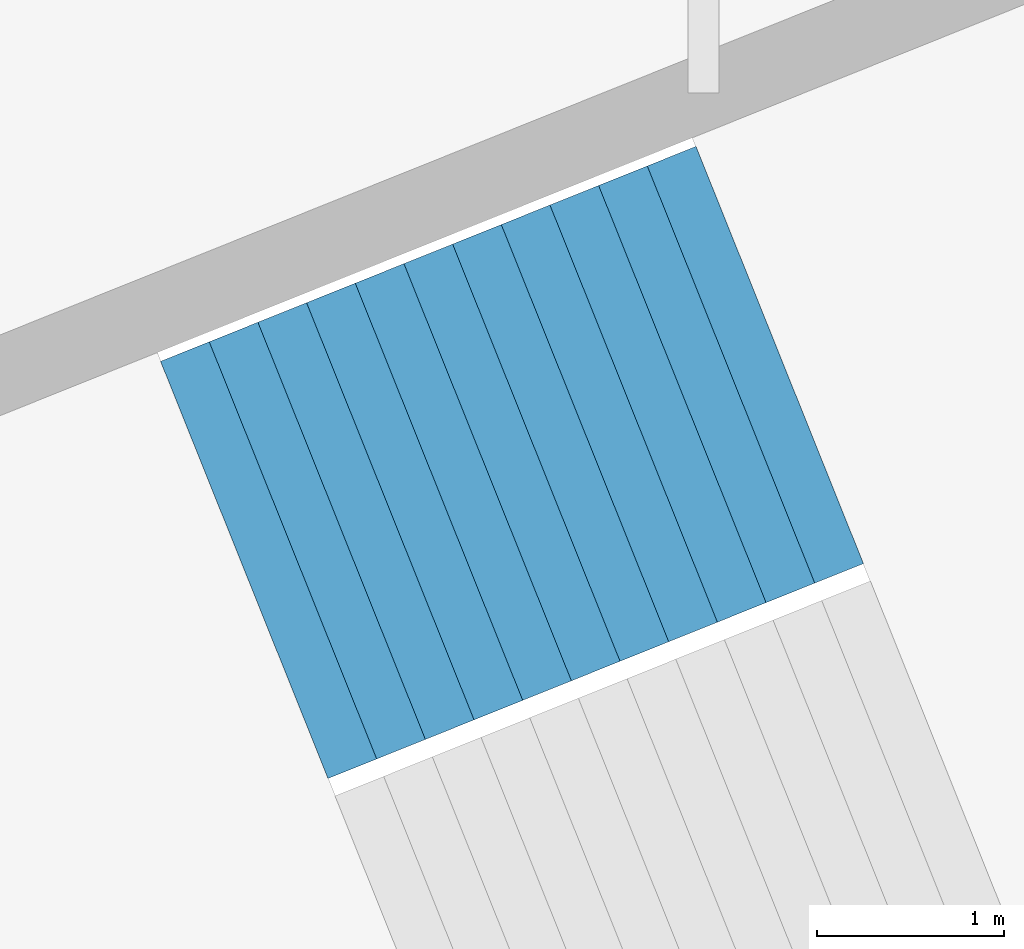
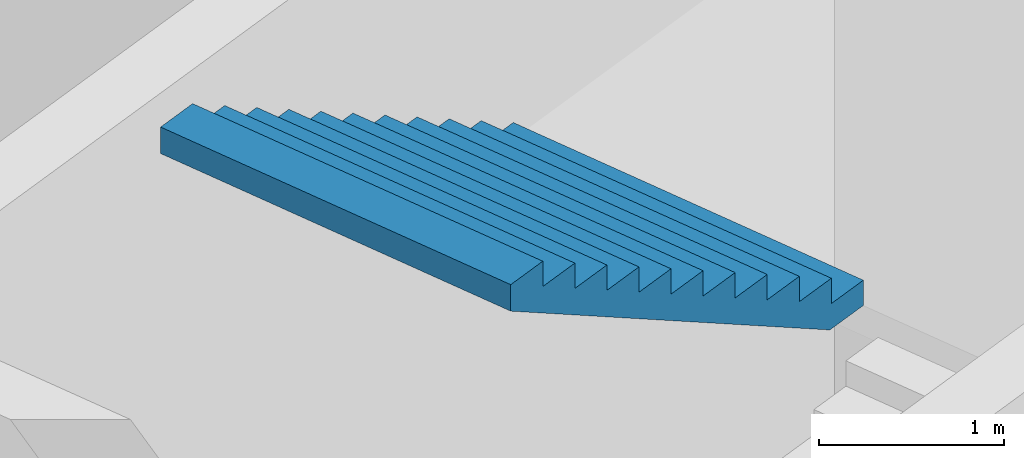
# One storey, part 69 of 74: 1 stair flight, 1 element without a shape of its own.
"""IFC4 building model written with IfcOpenShell, lengths in metres."""

from ifc_helpers import new_model, si_unit, direction, frame, origin, place, context, subcontext, project, spatial, triangles, material, type_object, element, aggregate, save


model = new_model("IFC4")

# Units and contexts
model_context = context("Model", 3, precision=1e-05, world=origin(), true_north=direction((0.0, 1.0)))
body_context = subcontext(model_context, "Body", "Model", "MODEL_VIEW")
ifc_project = project(units=[si_unit("LENGTHUNIT", "METRE"), si_unit("AREAUNIT", "SQUARE_METRE"), si_unit("VOLUMEUNIT", "CUBIC_METRE"), si_unit("PLANEANGLEUNIT", "RADIAN"), si_unit("MASSUNIT", "GRAM", prefix="KILO")], contexts=[model_context])

# Site, building, storey
site_placement = place(None, origin())
site = spatial("IfcSite", under=ifc_project, at=site_placement, CompositionType="ELEMENT")
building_placement = place(site_placement, origin())
building = spatial("IfcBuilding", under=site, at=building_placement, Name="Lantaw Convention Tower", CompositionType="ELEMENT")
storey_placement = place(building_placement, frame((0.0, 0.0, 6.5)))
storey = spatial("IfcBuildingStorey", under=building, at=storey_placement, Name="L01", CompositionType="ELEMENT", Elevation=6.5)

# Stair, stair flight
ifc_material = material(Name="Concrete C35/45", Category="concrete")
stair_type = type_object("IfcStairType", Name="Exit stair 2400 riser 166.67 in 4 flights", PredefinedType="HALF_TURN_STAIR", material=ifc_material)
stair_placement = place(storey_placement, origin())
stair = element("IfcStair", 1, at=stair_placement, inside=storey, type_object=stair_type, Name="Podium exit stair P2 L01", PredefinedType="HALF_TURN_STAIR")
stair_flight_type = type_object("IfcStairFlightType", Name="Stair flight 2400 riser 166.67", PredefinedType="STRAIGHT", material=ifc_material)
stair_flight_placement = place(storey_placement, frame((38.65771484375, 16.86572265625, 6.0), z_axis=(0.0, 0.0, 1.0), x_axis=(-0.928015168305, -0.372542410198, 0.0)))
stair_flight = element("IfcStairFlight", 2, at=stair_flight_placement, type_object=stair_flight_type, Name="P2 flight 4", NumberOfRisers=12, NumberOfTreads=11, PredefinedType="STRAIGHT", RiserHeight=0.166666667, TreadLength=0.28, context=body_context, shape_type="Tessellation", body=[
    triangles([(0.0, 1.199951171875, 0.0), (0.0, 1.199951171875, 0.166666667), (0.28, 1.199951171875, 0.0), (0.28, 1.199951171875, 0.166666667), (0.28, 1.199951171875, 0.333333334), (0.29307345806906726, 1.199951171875, 0.0), (0.29307345806906726, 1.199951171875, 0.333333334), (0.56, 1.199951171875, 0.15888484670522965), (0.56, 1.199951171875, 0.333333334), (0.56, 1.199951171875, 0.500000001), (0.8400000000000001, 1.199951171875, 0.3255515137052296), (0.8400000000000001, 1.199951171875, 0.500000001), (0.8400000000000001, 1.199951171875, 0.666666668), (1.12, 1.199951171875, 0.4922181807052296), (1.12, 1.199951171875, 0.666666668), (1.12, 1.199951171875, 0.833333335), (1.4000000000000001, 1.199951171875, 0.6588848477052296), (1.4000000000000001, 1.199951171875, 0.833333335), (1.4000000000000001, 1.199951171875, 1.000000002), (1.6800000000000002, 1.199951171875, 0.8255515147052296), (1.6800000000000002, 1.199951171875, 1.000000002), (1.6800000000000002, 1.199951171875, 1.166666669), (1.9600000000000002, 1.199951171875, 0.9922181817052296), (1.9600000000000002, 1.199951171875, 1.166666669), (1.9600000000000002, 1.199951171875, 1.333333336), (2.24, 1.199951171875, 1.1588848487052295), (2.24, 1.199951171875, 1.333333336), (2.24, 1.199951171875, 1.5000000029999998), (2.5200000000000005, 1.199951171875, 1.3255515157052296), (2.5200000000000005, 1.199951171875, 1.5000000029999998), (2.5200000000000005, 1.199951171875, 1.66666667), (2.8000000000000003, 1.199951171875, 1.4922181827052294), (2.8000000000000003, 1.199951171875, 1.66666667), (2.8000000000000003, 1.199951171875, 1.833333337), (3.08, 1.199951171875, 1.6588848497052293), (3.08, 1.199951171875, 1.833333337), (0.0, -1.199951171875, 0.0), (0.0, -1.199951171875, 0.166666667), (0.28, -1.199951171875, 0.0), (0.28, -1.199951171875, 0.166666667), (0.28, -1.199951171875, 0.333333334), (0.29307345806906726, -1.199951171875, 0.0), (0.29307345806906726, -1.199951171875, 0.333333334), (0.56, -1.199951171875, 0.15888484670522965), (0.56, -1.199951171875, 0.333333334), (0.56, -1.199951171875, 0.500000001), (0.8400000000000001, -1.199951171875, 0.3255515137052296), (0.8400000000000001, -1.199951171875, 0.500000001), (0.8400000000000001, -1.199951171875, 0.666666668), (1.12, -1.199951171875, 0.4922181807052296), (1.12, -1.199951171875, 0.666666668), (1.12, -1.199951171875, 0.833333335), (1.4000000000000001, -1.199951171875, 0.6588848477052296), (1.4000000000000001, -1.199951171875, 0.833333335), (1.4000000000000001, -1.199951171875, 1.000000002), (1.6800000000000002, -1.199951171875, 0.8255515147052296), (1.6800000000000002, -1.199951171875, 1.000000002), (1.6800000000000002, -1.199951171875, 1.166666669), (1.9600000000000002, -1.199951171875, 0.9922181817052296), (1.9600000000000002, -1.199951171875, 1.166666669), (1.9600000000000002, -1.199951171875, 1.333333336), (2.24, -1.199951171875, 1.1588848487052295), (2.24, -1.199951171875, 1.333333336), (2.24, -1.199951171875, 1.5000000029999998), (2.5200000000000005, -1.199951171875, 1.3255515157052296), (2.5200000000000005, -1.199951171875, 1.5000000029999998), (2.5200000000000005, -1.199951171875, 1.66666667), (2.8000000000000003, -1.199951171875, 1.4922181827052294), (2.8000000000000003, -1.199951171875, 1.66666667), (2.8000000000000003, -1.199951171875, 1.833333337), (3.08, -1.199951171875, 1.6588848497052293), (3.08, -1.199951171875, 1.833333337), (0.0, 0.239990234375, 0.166666667), (0.0, 0.239990234375, 0.0), (0.0, 0.1199951171875, 0.166666667), (0.0, 0.1199951171875, 0.0), (0.0, 0.0, 0.166666667), (0.0, 0.0, 0.0), (0.0, -0.1199951171875, 0.166666667), (0.0, -0.1199951171875, 0.0), (0.0, -0.239990234375, 0.166666667), (0.0, -0.239990234375, 0.0), (0.28, 0.239990234375, 0.333333334), (0.28, 0.239990234375, 0.166666667), (0.28, 0.1199951171875, 0.333333334), (0.28, 0.1199951171875, 0.166666667), (0.28, 0.0, 0.333333334), (0.28, 0.0, 0.166666667), (0.28, -0.1199951171875, 0.333333334), (0.28, -0.1199951171875, 0.166666667), (0.28, -0.239990234375, 0.333333334), (0.28, -0.239990234375, 0.166666667), (0.56, 0.239990234375, 0.500000001), (0.56, 0.239990234375, 0.333333334), (0.56, 0.1199951171875, 0.500000001), (0.56, 0.1199951171875, 0.333333334), (0.56, 0.0, 0.500000001), (0.56, 0.0, 0.333333334), (0.56, -0.1199951171875, 0.500000001), (0.56, -0.1199951171875, 0.333333334), (0.56, -0.239990234375, 0.500000001), (0.56, -0.239990234375, 0.333333334), (0.8400000000000001, 0.239990234375, 0.666666668), (0.8400000000000001, 0.239990234375, 0.500000001), (0.8400000000000001, 0.1199951171875, 0.666666668), (0.8400000000000001, 0.1199951171875, 0.500000001), (0.8400000000000001, 0.0, 0.666666668), (0.8400000000000001, 0.0, 0.500000001), (0.8400000000000001, -0.1199951171875, 0.666666668), (0.8400000000000001, -0.1199951171875, 0.500000001), (0.8400000000000001, -0.239990234375, 0.666666668), (0.8400000000000001, -0.239990234375, 0.500000001), (1.12, 0.239990234375, 0.833333335), (1.12, 0.239990234375, 0.666666668), (1.12, 0.1199951171875, 0.833333335), (1.12, 0.1199951171875, 0.666666668), (1.12, 0.0, 0.833333335), (1.12, 0.0, 0.666666668), (1.12, -0.1199951171875, 0.833333335), (1.12, -0.1199951171875, 0.666666668), (1.12, -0.239990234375, 0.833333335), (1.12, -0.239990234375, 0.666666668), (1.4000000000000001, 0.239990234375, 1.000000002), (1.4000000000000001, 0.239990234375, 0.833333335), (1.4000000000000001, 0.1199951171875, 1.000000002), (1.4000000000000001, 0.1199951171875, 0.833333335), (1.4000000000000001, 0.0, 1.000000002), (1.4000000000000001, 0.0, 0.833333335), (1.4000000000000001, -0.1199951171875, 1.000000002), (1.4000000000000001, -0.1199951171875, 0.833333335), (1.4000000000000001, -0.239990234375, 1.000000002), (1.4000000000000001, -0.239990234375, 0.833333335), (1.6800000000000002, 0.239990234375, 1.166666669), (1.6800000000000002, 0.239990234375, 1.000000002), (1.6800000000000002, 0.1199951171875, 1.166666669), (1.6800000000000002, 0.1199951171875, 1.000000002), (1.6800000000000002, 0.0, 1.166666669), (1.6800000000000002, 0.0, 1.000000002), (1.6800000000000002, -0.1199951171875, 1.166666669), (1.6800000000000002, -0.1199951171875, 1.000000002), (1.6800000000000002, -0.239990234375, 1.166666669), (1.6800000000000002, -0.239990234375, 1.000000002), (1.9600000000000002, 0.239990234375, 1.333333336), (1.9600000000000002, 0.239990234375, 1.166666669), (1.9600000000000002, 0.1199951171875, 1.333333336), (1.9600000000000002, 0.1199951171875, 1.166666669), (1.9600000000000002, 0.0, 1.333333336), (1.9600000000000002, 0.0, 1.166666669), (1.9600000000000002, -0.1199951171875, 1.333333336), (1.9600000000000002, -0.1199951171875, 1.166666669), (1.9600000000000002, -0.239990234375, 1.333333336), (1.9600000000000002, -0.239990234375, 1.166666669), (2.24, 0.239990234375, 1.5000000029999998), (2.24, 0.239990234375, 1.333333336), (2.24, 0.1199951171875, 1.5000000029999998), (2.24, 0.1199951171875, 1.333333336), (2.24, 0.0, 1.5000000029999998), (2.24, 0.0, 1.333333336), (2.24, -0.1199951171875, 1.5000000029999998), (2.24, -0.1199951171875, 1.333333336), (2.24, -0.239990234375, 1.5000000029999998), (2.24, -0.239990234375, 1.333333336), (2.5200000000000005, 0.239990234375, 1.66666667), (2.5200000000000005, 0.239990234375, 1.5000000029999998), (2.5200000000000005, 0.1199951171875, 1.66666667), (2.5200000000000005, 0.1199951171875, 1.5000000029999998), (2.5200000000000005, 0.0, 1.66666667), (2.5200000000000005, 0.0, 1.5000000029999998), (2.5200000000000005, -0.1199951171875, 1.66666667), (2.5200000000000005, -0.1199951171875, 1.5000000029999998), (2.5200000000000005, -0.239990234375, 1.66666667), (2.5200000000000005, -0.239990234375, 1.5000000029999998), (2.8000000000000003, 0.239990234375, 1.833333337), (2.8000000000000003, 0.239990234375, 1.66666667), (2.8000000000000003, 0.1199951171875, 1.833333337), (2.8000000000000003, 0.1199951171875, 1.66666667), (2.8000000000000003, 0.0, 1.833333337), (2.8000000000000003, 0.0, 1.66666667), (2.8000000000000003, -0.1199951171875, 1.833333337), (2.8000000000000003, -0.1199951171875, 1.66666667), (2.8000000000000003, -0.239990234375, 1.833333337), (2.8000000000000003, -0.239990234375, 1.66666667), (0.29307345806906726, 0.239990234375, 0.333333334), (0.29307345806906726, 0.1199951171875, 0.333333334), (0.29307345806906726, 0.0, 0.333333334), (0.29307345806906726, -0.1199951171875, 0.333333334), (0.29307345806906726, -0.239990234375, 0.333333334), (3.08, 0.239990234375, 1.833333337), (3.08, 0.1199951171875, 1.833333337), (3.08, 0.0, 1.833333337), (3.08, -0.1199951171875, 1.833333337), (3.08, -0.239990234375, 1.833333337), (3.08, 0.239990234375, 1.6588848497052293), (3.08, 0.1199951171875, 1.6588848497052293), (3.08, 0.0, 1.6588848497052293), (3.08, -0.1199951171875, 1.6588848497052293), (3.08, -0.239990234375, 1.6588848497052293), (2.8000000000000003, 0.239990234375, 1.4922181827052294), (2.8000000000000003, 0.1199951171875, 1.4922181827052294), (2.8000000000000003, 0.0, 1.4922181827052294), (2.8000000000000003, -0.1199951171875, 1.4922181827052294), (2.8000000000000003, -0.239990234375, 1.4922181827052294), (2.5200000000000005, 0.239990234375, 1.3255515157052296), (2.5200000000000005, 0.1199951171875, 1.3255515157052296), (2.5200000000000005, 0.0, 1.3255515157052296), (2.5200000000000005, -0.1199951171875, 1.3255515157052296), (2.5200000000000005, -0.239990234375, 1.3255515157052296), (2.24, 0.239990234375, 1.1588848487052295), (2.24, 0.1199951171875, 1.1588848487052295), (2.24, 0.0, 1.1588848487052295), (2.24, -0.1199951171875, 1.1588848487052295), (2.24, -0.239990234375, 1.1588848487052295), (1.9600000000000002, 0.239990234375, 0.9922181817052296), (1.9600000000000002, 0.1199951171875, 0.9922181817052296), (1.9600000000000002, 0.0, 0.9922181817052296), (1.9600000000000002, -0.1199951171875, 0.9922181817052296), (1.9600000000000002, -0.239990234375, 0.9922181817052296), (1.6800000000000002, 0.239990234375, 0.8255515147052296), (1.6800000000000002, 0.1199951171875, 0.8255515147052296), (1.6800000000000002, 0.0, 0.8255515147052296), (1.6800000000000002, -0.1199951171875, 0.8255515147052296), (1.6800000000000002, -0.239990234375, 0.8255515147052296), (1.4000000000000001, 0.239990234375, 0.6588848477052296), (1.4000000000000001, 0.1199951171875, 0.6588848477052296), (1.4000000000000001, 0.0, 0.6588848477052296), (1.4000000000000001, -0.1199951171875, 0.6588848477052296), (1.4000000000000001, -0.239990234375, 0.6588848477052296), (1.12, 0.239990234375, 0.4922181807052296), (1.12, 0.1199951171875, 0.4922181807052296), (1.12, 0.0, 0.4922181807052296), (1.12, -0.1199951171875, 0.4922181807052296), (1.12, -0.239990234375, 0.4922181807052296), (0.8400000000000001, 0.239990234375, 0.3255515137052296), (0.8400000000000001, 0.1199951171875, 0.3255515137052296), (0.8400000000000001, 0.0, 0.3255515137052296), (0.8400000000000001, -0.1199951171875, 0.3255515137052296), (0.8400000000000001, -0.239990234375, 0.3255515137052296), (0.56, 0.239990234375, 0.15888484670522965), (0.56, 0.1199951171875, 0.15888484670522965), (0.56, 0.0, 0.15888484670522965), (0.56, -0.1199951171875, 0.15888484670522965), (0.56, -0.239990234375, 0.15888484670522965), (0.29307345806906726, 0.239990234375, 0.0), (0.29307345806906726, 0.1199951171875, 0.0), (0.29307345806906726, 0.0, 0.0), (0.29307345806906726, -0.1199951171875, 0.0), (0.29307345806906726, -0.239990234375, 0.0), (0.28, 0.239990234375, 0.0), (0.28, 0.1199951171875, 0.0), (0.28, 0.0, 0.0), (0.28, -0.1199951171875, 0.0), (0.28, -0.239990234375, 0.0)], [[1, 4, 3], [1, 2, 4], [3, 4, 6], [4, 7, 6], [4, 5, 7], [6, 9, 8], [6, 7, 9], [8, 9, 11], [9, 12, 11], [9, 10, 12], [11, 12, 14], [12, 15, 14], [12, 13, 15], [14, 15, 17], [15, 18, 17], [15, 16, 18], [17, 18, 20], [18, 21, 20], [18, 19, 21], [20, 21, 23], [21, 24, 23], [21, 22, 24], [23, 24, 26], [24, 27, 26], [24, 25, 27], [26, 27, 29], [27, 30, 29], [27, 28, 30], [29, 30, 32], [30, 33, 32], [30, 31, 33], [32, 33, 35], [33, 36, 35], [33, 34, 36], [37, 39, 40], [37, 40, 38], [39, 42, 40], [40, 42, 43], [40, 43, 41], [42, 44, 45], [42, 45, 43], [44, 47, 45], [45, 47, 48], [45, 48, 46], [47, 50, 48], [48, 50, 51], [48, 51, 49], [50, 53, 51], [51, 53, 54], [51, 54, 52], [53, 56, 54], [54, 56, 57], [54, 57, 55], [56, 59, 57], [57, 59, 60], [57, 60, 58], [59, 62, 60], [60, 62, 63], [60, 63, 61], [62, 65, 63], [63, 65, 66], [63, 66, 64], [65, 68, 66], [66, 68, 69], [66, 69, 67], [68, 71, 69], [69, 71, 72], [69, 72, 70], [1, 73, 2], [1, 74, 73], [74, 75, 73], [74, 76, 75], [76, 77, 75], [76, 78, 77], [78, 79, 77], [78, 80, 79], [80, 81, 79], [80, 82, 81], [82, 38, 81], [82, 37, 38], [4, 83, 5], [4, 84, 83], [84, 85, 83], [84, 86, 85], [86, 87, 85], [86, 88, 87], [88, 89, 87], [88, 90, 89], [90, 91, 89], [90, 92, 91], [92, 41, 91], [92, 40, 41], [9, 93, 10], [9, 94, 93], [94, 95, 93], [94, 96, 95], [96, 97, 95], [96, 98, 97], [98, 99, 97], [98, 100, 99], [100, 101, 99], [100, 102, 101], [102, 46, 101], [102, 45, 46], [12, 103, 13], [12, 104, 103], [104, 105, 103], [104, 106, 105], [106, 107, 105], [106, 108, 107], [108, 109, 107], [108, 110, 109], [110, 111, 109], [110, 112, 111], [112, 49, 111], [112, 48, 49], [15, 113, 16], [15, 114, 113], [114, 115, 113], [114, 116, 115], [116, 117, 115], [116, 118, 117], [118, 119, 117], [118, 120, 119], [120, 121, 119], [120, 122, 121], [122, 52, 121], [122, 51, 52], [18, 123, 19], [18, 124, 123], [124, 125, 123], [124, 126, 125], [126, 127, 125], [126, 128, 127], [128, 129, 127], [128, 130, 129], [130, 131, 129], [130, 132, 131], [132, 55, 131], [132, 54, 55], [21, 133, 22], [21, 134, 133], [134, 135, 133], [134, 136, 135], [136, 137, 135], [136, 138, 137], [138, 139, 137], [138, 140, 139], [140, 141, 139], [140, 142, 141], [142, 58, 141], [142, 57, 58], [24, 143, 25], [24, 144, 143], [144, 145, 143], [144, 146, 145], [146, 147, 145], [146, 148, 147], [148, 149, 147], [148, 150, 149], [150, 151, 149], [150, 152, 151], [152, 61, 151], [152, 60, 61], [27, 153, 28], [27, 154, 153], [154, 155, 153], [154, 156, 155], [156, 157, 155], [156, 158, 157], [158, 159, 157], [158, 160, 159], [160, 161, 159], [160, 162, 161], [162, 64, 161], [162, 63, 64], [30, 163, 31], [30, 164, 163], [164, 165, 163], [164, 166, 165], [166, 167, 165], [166, 168, 167], [168, 169, 167], [168, 170, 169], [170, 171, 169], [170, 172, 171], [172, 67, 171], [172, 66, 67], [33, 173, 34], [33, 174, 173], [174, 175, 173], [174, 176, 175], [176, 177, 175], [176, 178, 177], [178, 179, 177], [178, 180, 179], [180, 181, 179], [180, 182, 181], [182, 70, 181], [182, 69, 70], [2, 84, 4], [2, 73, 84], [73, 86, 84], [73, 75, 86], [75, 88, 86], [75, 77, 88], [77, 90, 88], [77, 79, 90], [79, 92, 90], [79, 81, 92], [81, 40, 92], [81, 38, 40], [5, 183, 7], [5, 83, 183], [83, 184, 183], [83, 85, 184], [85, 185, 184], [85, 87, 185], [87, 186, 185], [87, 89, 186], [89, 187, 186], [89, 91, 187], [91, 43, 187], [91, 41, 43], [7, 94, 9], [7, 183, 94], [183, 96, 94], [183, 184, 96], [184, 98, 96], [184, 185, 98], [185, 100, 98], [185, 186, 100], [186, 102, 100], [186, 187, 102], [187, 45, 102], [187, 43, 45], [10, 104, 12], [10, 93, 104], [93, 106, 104], [93, 95, 106], [95, 108, 106], [95, 97, 108], [97, 110, 108], [97, 99, 110], [99, 112, 110], [99, 101, 112], [101, 48, 112], [101, 46, 48], [13, 114, 15], [13, 103, 114], [103, 116, 114], [103, 105, 116], [105, 118, 116], [105, 107, 118], [107, 120, 118], [107, 109, 120], [109, 122, 120], [109, 111, 122], [111, 51, 122], [111, 49, 51], [16, 124, 18], [16, 113, 124], [113, 126, 124], [113, 115, 126], [115, 128, 126], [115, 117, 128], [117, 130, 128], [117, 119, 130], [119, 132, 130], [119, 121, 132], [121, 54, 132], [121, 52, 54], [19, 134, 21], [19, 123, 134], [123, 136, 134], [123, 125, 136], [125, 138, 136], [125, 127, 138], [127, 140, 138], [127, 129, 140], [129, 142, 140], [129, 131, 142], [131, 57, 142], [131, 55, 57], [22, 144, 24], [22, 133, 144], [133, 146, 144], [133, 135, 146], [135, 148, 146], [135, 137, 148], [137, 150, 148], [137, 139, 150], [139, 152, 150], [139, 141, 152], [141, 60, 152], [141, 58, 60], [25, 154, 27], [25, 143, 154], [143, 156, 154], [143, 145, 156], [145, 158, 156], [145, 147, 158], [147, 160, 158], [147, 149, 160], [149, 162, 160], [149, 151, 162], [151, 63, 162], [151, 61, 63], [28, 164, 30], [28, 153, 164], [153, 166, 164], [153, 155, 166], [155, 168, 166], [155, 157, 168], [157, 170, 168], [157, 159, 170], [159, 172, 170], [159, 161, 172], [161, 66, 172], [161, 64, 66], [31, 174, 33], [31, 163, 174], [163, 176, 174], [163, 165, 176], [165, 178, 176], [165, 167, 178], [167, 180, 178], [167, 169, 180], [169, 182, 180], [169, 171, 182], [171, 69, 182], [171, 67, 69], [34, 188, 36], [34, 173, 188], [173, 189, 188], [173, 175, 189], [175, 190, 189], [175, 177, 190], [177, 191, 190], [177, 179, 191], [179, 192, 191], [179, 181, 192], [181, 72, 192], [181, 70, 72], [36, 193, 35], [36, 188, 193], [188, 194, 193], [188, 189, 194], [189, 195, 194], [189, 190, 195], [190, 196, 195], [190, 191, 196], [191, 197, 196], [191, 192, 197], [192, 71, 197], [192, 72, 71], [35, 198, 32], [35, 193, 198], [193, 199, 198], [193, 194, 199], [194, 200, 199], [194, 195, 200], [195, 201, 200], [195, 196, 201], [196, 202, 201], [196, 197, 202], [197, 68, 202], [197, 71, 68], [32, 203, 29], [32, 198, 203], [198, 204, 203], [198, 199, 204], [199, 205, 204], [199, 200, 205], [200, 206, 205], [200, 201, 206], [201, 207, 206], [201, 202, 207], [202, 65, 207], [202, 68, 65], [29, 208, 26], [29, 203, 208], [203, 209, 208], [203, 204, 209], [204, 210, 209], [204, 205, 210], [205, 211, 210], [205, 206, 211], [206, 212, 211], [206, 207, 212], [207, 62, 212], [207, 65, 62], [26, 213, 23], [26, 208, 213], [208, 214, 213], [208, 209, 214], [209, 215, 214], [209, 210, 215], [210, 216, 215], [210, 211, 216], [211, 217, 216], [211, 212, 217], [212, 59, 217], [212, 62, 59], [23, 218, 20], [23, 213, 218], [213, 219, 218], [213, 214, 219], [214, 220, 219], [214, 215, 220], [215, 221, 220], [215, 216, 221], [216, 222, 221], [216, 217, 222], [217, 56, 222], [217, 59, 56], [20, 223, 17], [20, 218, 223], [218, 224, 223], [218, 219, 224], [219, 225, 224], [219, 220, 225], [220, 226, 225], [220, 221, 226], [221, 227, 226], [221, 222, 227], [222, 53, 227], [222, 56, 53], [17, 228, 14], [17, 223, 228], [223, 229, 228], [223, 224, 229], [224, 230, 229], [224, 225, 230], [225, 231, 230], [225, 226, 231], [226, 232, 231], [226, 227, 232], [227, 50, 232], [227, 53, 50], [14, 233, 11], [14, 228, 233], [228, 234, 233], [228, 229, 234], [229, 235, 234], [229, 230, 235], [230, 236, 235], [230, 231, 236], [231, 237, 236], [231, 232, 237], [232, 47, 237], [232, 50, 47], [11, 238, 8], [11, 233, 238], [233, 239, 238], [233, 234, 239], [234, 240, 239], [234, 235, 240], [235, 241, 240], [235, 236, 241], [236, 242, 241], [236, 237, 242], [237, 44, 242], [237, 47, 44], [8, 243, 6], [8, 238, 243], [238, 244, 243], [238, 239, 244], [239, 245, 244], [239, 240, 245], [240, 246, 245], [240, 241, 246], [241, 247, 246], [241, 242, 247], [242, 42, 247], [242, 44, 42], [6, 248, 3], [6, 243, 248], [243, 249, 248], [243, 244, 249], [244, 250, 249], [244, 245, 250], [245, 251, 250], [245, 246, 251], [246, 252, 251], [246, 247, 252], [247, 39, 252], [247, 42, 39], [3, 74, 1], [3, 248, 74], [248, 76, 74], [248, 249, 76], [249, 78, 76], [249, 250, 78], [250, 80, 78], [250, 251, 80], [251, 82, 80], [251, 252, 82], [252, 37, 82], [252, 39, 37]], closed=True),
])
aggregate(stair, [stair_flight])

save(model, "model.ifc")
